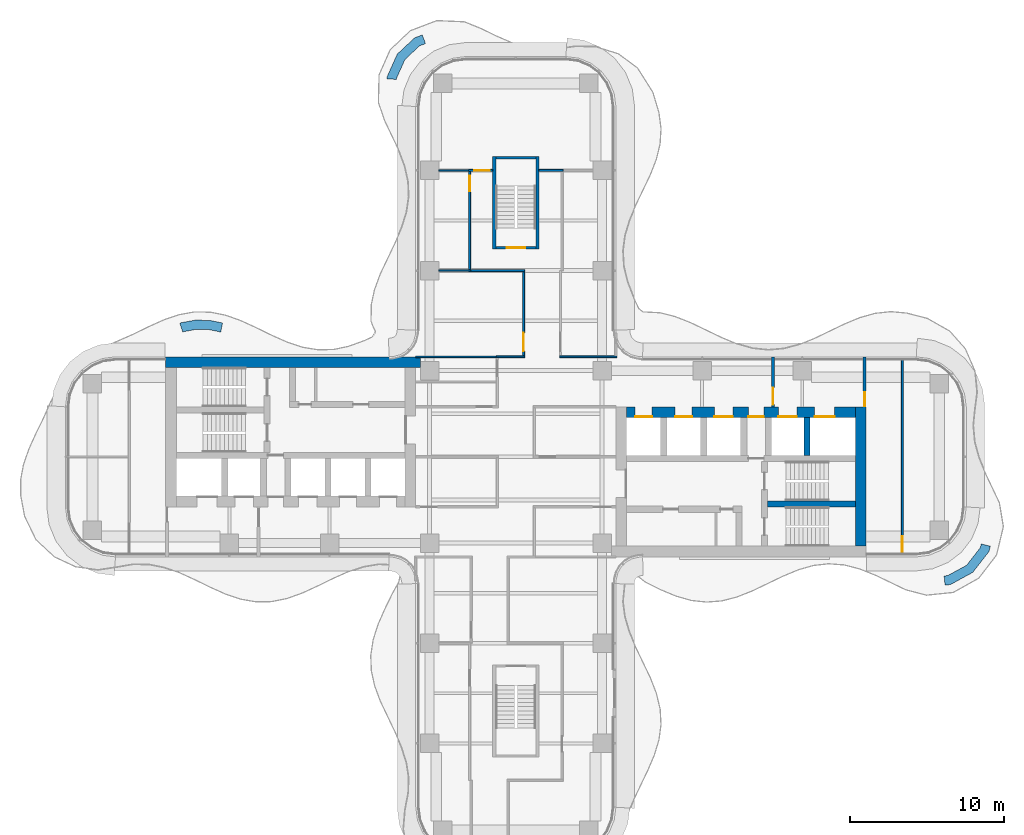
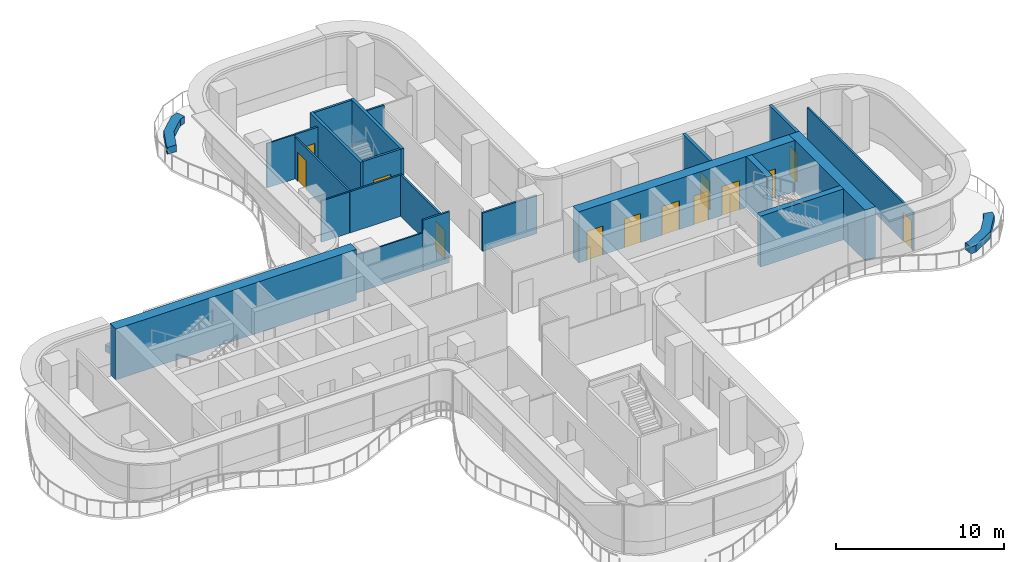
# One storey, part 14 of 17: 25 walls, 13 doors, 13 openings.
"""IFC4 building model written with IfcOpenShell, lengths in metres."""

import ifcopenshell
import ifcopenshell.guid

model = None  # the IFC model being written
_history = None  # IfcOwnerHistory: only IFC2X3 demands one
_inside = {}  # id of a spatial element -> (the spatial element, [elements in it])
_under = {}  # id of a project, library or spatial element -> (it, [spatial elements below it])
_declared = {}  # id of a project -> (the project, [libraries it declares])
_typed = {}  # id of a type object -> (the type object, [elements of that type])
_made_of = {}  # id of a material, layer set ... -> (it, [elements and type objects made of it])


def new_model(schema):
    """Start an empty IFC model of exactly this schema.

    Asked for "IFC4X3", IfcOpenShell would pick the latest addendum, in which some entities
    have other attributes; the version numbers below select the first issue.
    IFC2X3 requires an IfcOwnerHistory on every rooted entity: one is made here for all.
    """
    global model, _history
    if schema == "IFC4X3":
        model = ifcopenshell.file(schema_version=(4, 3, 0, 0))
    else:
        model = ifcopenshell.file(schema=schema)
    _inside.clear()
    _under.clear()
    _declared.clear()
    _typed.clear()
    _made_of.clear()
    _history = None
    if model.schema == "IFC2X3":
        org = make("IfcOrganization", Name="unknown")
        user = make(
            "IfcPersonAndOrganization",
            ThePerson=make("IfcPerson", FamilyName="unknown"),
            TheOrganization=org,
        )
        app = make(
            "IfcApplication",
            ApplicationDeveloper=org,
            Version="unknown",
            ApplicationFullName="unknown",
            ApplicationIdentifier="unknown",
        )
        _history = make(
            "IfcOwnerHistory",
            OwningUser=user,
            OwningApplication=app,
            ChangeAction="ADDED",
            CreationDate=0,
        )
    return model


def make(cls, **values):
    """One entity of the class cls with the attributes given. An attribute that is None is left unset."""
    return model.create_entity(
        cls, **{name: value for name, value in values.items() if value is not None}
    )


def rooted(cls, **values):
    """An entity with a GlobalId (a new one), such as an element, a storey or a relation."""
    return make(cls, GlobalId=ifcopenshell.guid.new(), OwnerHistory=_history, **values)


def si_unit(unit_type, name, prefix=None):
    """IfcSIUnit, for example si_unit("LENGTHUNIT", "METRE", prefix="MILLI")."""
    return make("IfcSIUnit", UnitType=unit_type, Prefix=prefix, Name=name)


def assignment(units):
    """IfcUnitAssignment: the units of a project."""
    return None if units is None else make("IfcUnitAssignment", Units=units)


def point(xyz):
    """IfcCartesianPoint."""
    return None if xyz is None else make("IfcCartesianPoint", Coordinates=xyz)


def direction(xyz):
    """IfcDirection."""
    return None if xyz is None else make("IfcDirection", DirectionRatios=xyz)


def frame(location, z_axis=None, x_axis=None):
    """IfcAxis2Placement3D, a coordinate frame: its origin and axes. An axis left out is left unset."""
    return make(
        "IfcAxis2Placement3D",
        Location=point(location),
        Axis=direction(z_axis),
        RefDirection=direction(x_axis),
    )


def frame_2d(location, x_axis=None):
    """IfcAxis2Placement2D, a coordinate frame in the plane: its origin and x axis."""
    return make(
        "IfcAxis2Placement2D", Location=point(location), RefDirection=direction(x_axis)
    )


def origin():
    """The frame at (0, 0, 0) with its axes left unset."""
    return frame((0.0, 0.0, 0.0))


def place(relative_to, where):
    """IfcLocalPlacement: puts the frame where relative to a parent placement (None: the world)."""
    return make(
        "IfcLocalPlacement", PlacementRelTo=relative_to, RelativePlacement=where
    )


def context(
    kind, dimensions, precision=None, world=None, true_north=None, identifier=None
):
    """IfcGeometricRepresentationContext, for example the 3D "Model" context."""
    return make(
        "IfcGeometricRepresentationContext",
        ContextIdentifier=identifier,
        ContextType=kind,
        CoordinateSpaceDimension=dimensions,
        Precision=precision,
        WorldCoordinateSystem=world,
        TrueNorth=true_north,
    )


def subcontext(parent, identifier, kind, view, scale=None):
    """IfcGeometricRepresentationSubContext, for example "Body" below "Model"."""
    return make(
        "IfcGeometricRepresentationSubContext",
        ContextIdentifier=identifier,
        ContextType=kind,
        ParentContext=parent,
        TargetScale=scale,
        TargetView=view,
    )


def project(units=None, contexts=None):
    """IfcProject with its units and contexts."""
    return rooted(
        "IfcProject",
        Name="project",
        RepresentationContexts=contexts,
        UnitsInContext=assignment(units),
    )


def spatial(cls, under=None, at=None, **own):
    """A site, building, storey or space (cls), placed at a placement, below another one or the project."""
    s = rooted(cls, ObjectPlacement=at, **own)
    if under is not None:
        _under.setdefault(under.id(), (under, []))[1].append(s)
    return s


def polyline(points):
    """IfcPolyline through the points."""
    return make("IfcPolyline", Points=[point(p) for p in points])


def profile(cls, at=None, kind="AREA", **sizes):
    """A parametric profile (cls). Its sizes go by their IFC names, for example OverallWidth=200.0."""
    return make(cls, ProfileType=kind, Position=at, **sizes)


def rectangle(**sizes):
    """IfcRectangleProfileDef."""
    return profile("IfcRectangleProfileDef", **sizes)


def outline(outer, holes=None, kind="AREA"):
    """IfcArbitraryClosedProfileDef: a profile drawn as a closed curve; with holes, ...WithVoids."""
    if holes is None:
        return make("IfcArbitraryClosedProfileDef", ProfileType=kind, OuterCurve=outer)
    return make(
        "IfcArbitraryProfileDefWithVoids",
        ProfileType=kind,
        OuterCurve=outer,
        InnerCurves=holes,
    )


def extrude(swept, where, along, depth):
    """IfcExtrudedAreaSolid: the profile swept, set in the frame where, extruded along a direction by depth."""
    return make(
        "IfcExtrudedAreaSolid",
        SweptArea=swept,
        Position=where,
        ExtrudedDirection=direction(along),
        Depth=depth,
    )


def shape(context_of_items, identifier, shape_type, items):
    """IfcShapeRepresentation: the items that make up one representation, for example the "Body"."""
    return make(
        "IfcShapeRepresentation",
        ContextOfItems=context_of_items,
        RepresentationIdentifier=identifier,
        RepresentationType=shape_type,
        Items=items,
    )


def source(mapping_origin, context_of_items, identifier, shape_type, items):
    """IfcRepresentationMap: a shape defined once, which mapped items show again and again."""
    return make(
        "IfcRepresentationMap",
        MappingOrigin=mapping_origin,
        MappedRepresentation=shape(context_of_items, identifier, shape_type, items),
    )


def transform(
    local_origin,
    x_axis=None,
    y_axis=None,
    z_axis=None,
    scale=None,
    scale2=None,
    scale3=None,
    uniform=True,
):
    """IfcCartesianTransformationOperator3D, or its non-uniform kind. x_axis, y_axis, z_axis: its Axis1, 2, 3."""
    if uniform:
        return make(
            "IfcCartesianTransformationOperator3D",
            Axis1=direction(x_axis),
            Axis2=direction(y_axis),
            LocalOrigin=point(local_origin),
            Scale=scale,
            Axis3=direction(z_axis),
        )
    return make(
        "IfcCartesianTransformationOperator3DnonUniform",
        Axis1=direction(x_axis),
        Axis2=direction(y_axis),
        LocalOrigin=point(local_origin),
        Scale=scale,
        Axis3=direction(z_axis),
        Scale2=scale2,
        Scale3=scale3,
    )


def mapped(mapping_source, mapping_target):
    """IfcMappedItem: shows the shape of a source again, moved by a transform."""
    return make(
        "IfcMappedItem", MappingSource=mapping_source, MappingTarget=mapping_target
    )


def material(Name=None, Category=None):
    """IfcMaterial."""
    return make("IfcMaterial", Name=Name, Category=Category)


def layer(
    of_material, thickness, ventilated=None, Name=None, Category=None, Priority=None
):
    """IfcMaterialLayer: one layer of a wall or slab, of a material (None: an air gap)."""
    return make(
        "IfcMaterialLayer",
        Material=of_material,
        LayerThickness=thickness,
        IsVentilated=ventilated,
        Name=Name,
        Category=Category,
        Priority=Priority,
    )


def layer_set(layers, Name=None):
    """IfcMaterialLayerSet."""
    return make("IfcMaterialLayerSet", MaterialLayers=layers, LayerSetName=Name)


def made_of(thing, what):
    """Note that an element or type object is made of a material, layer set ...; save() writes the relation."""
    if what is not None:
        _made_of.setdefault(what.id(), (what, []))[1].append(thing)
    return thing


def type_object(cls, material=None, **own):
    """A type object (cls), such as IfcWallType, which elements share."""
    return made_of(rooted(cls, **own), material)


def element(
    cls,
    number,
    at=None,
    inside=None,
    cuts=None,
    type_object=None,
    material=None,
    context=None,
    identifier="Body",
    shape_type=None,
    held_by="IfcProductDefinitionShape",
    body=None,
    shapes=None,
    **own,
):
    """One element of the class cls, such as IfcWall. Its Tag is "e" and its number.

    at: its placement. inside: the storey or other place that contains it. cuts: it is an
    opening in that element (IfcRelVoidsElement). A single representation is given by context,
    identifier, shape_type and body (its items); several are given by shapes. held_by: the class
    of the entity that holds the representations. save() writes the other relations.
    """
    e = rooted(cls, Tag="e%d" % number, ObjectPlacement=at, **own)
    if body is not None:
        shapes = [shape(context, identifier, shape_type, body)]
    if shapes is not None:
        e.Representation = make(held_by, Representations=shapes)
    if inside is not None:
        _inside.setdefault(inside.id(), (inside, []))[1].append(e)
    if cuts is not None:
        rooted(
            "IfcRelVoidsElement", RelatingBuildingElement=cuts, RelatedOpeningElement=e
        )
    if type_object is not None:
        _typed.setdefault(type_object.id(), (type_object, []))[1].append(e)
    return made_of(e, material)


def fill(opening, filler):
    """IfcRelFillsElement: the door or window that sits in an opening."""
    return rooted(
        "IfcRelFillsElement",
        RelatingOpeningElement=opening,
        RelatedBuildingElement=filler,
    )


def aggregate(whole, parts):
    """IfcRelAggregates: a whole, such as a stair, and the parts it consists of."""
    return rooted("IfcRelAggregates", RelatingObject=whole, RelatedObjects=parts)


def save(model, path):
    """Write the relations noted so far, then the file.

    IfcRelAggregates (storeys below a building ...), IfcRelContainedInSpatialStructure (elements
    in a storey), IfcRelDefinesByType, IfcRelAssociatesMaterial and IfcRelDeclares: one each for
    every whole, place, type object, material and project.
    """
    for whole, parts in _under.values():
        aggregate(whole, parts)
    for where, things in _inside.values():
        rooted(
            "IfcRelContainedInSpatialStructure",
            RelatedElements=things,
            RelatingStructure=where,
        )
    for kind, things in _typed.values():
        rooted("IfcRelDefinesByType", RelatedObjects=things, RelatingType=kind)
    for what, things in _made_of.values():
        rooted("IfcRelAssociatesMaterial", RelatedObjects=things, RelatingMaterial=what)
    for by, libraries in _declared.values():
        rooted("IfcRelDeclares", RelatingContext=by, RelatedDefinitions=libraries)
    model.write(path)


model = new_model("IFC4")

# Units and contexts
model_context = context("Model", 3, precision=1e-05, world=origin(), true_north=direction((0.0, 1.0)))
body_context = subcontext(model_context, "Body", "Model", "MODEL_VIEW")
ifc_project = project(units=[si_unit("LENGTHUNIT", "METRE"), si_unit("AREAUNIT", "SQUARE_METRE"), si_unit("VOLUMEUNIT", "CUBIC_METRE"), si_unit("PLANEANGLEUNIT", "RADIAN"), si_unit("MASSUNIT", "GRAM", prefix="KILO")], contexts=[model_context])

# Site, building, storey
site_placement = place(None, origin())
site = spatial("IfcSite", under=ifc_project, at=site_placement, CompositionType="ELEMENT")
building_placement = place(site_placement, origin())
building = spatial("IfcBuilding", under=site, at=building_placement, Name="Trellis Farm Tower", CompositionType="ELEMENT")
storey_placement = place(building_placement, frame((0.0, 0.0, 165.89990234375)))
storey = spatial("IfcBuildingStorey", under=building, at=storey_placement, Name="L35", CompositionType="ELEMENT", Elevation=165.89990234375)

# Walls
ifc_material_1 = material(Name="Sandstone faced masonry planter", Category="masonry")
ifc_layer_1 = layer(ifc_material_1, 0.60009765625)
ifc_layer_set_1 = layer_set([ifc_layer_1], Name="PLANTER BED 600")
wall_type_1 = type_object("IfcWallType", Name="PLANTER BED 600", PredefinedType="USERDEFINED", material=ifc_layer_set_1)
placement = place(storey_placement, origin())
element("IfcWall", 1, at=placement, inside=storey, type_object=wall_type_1, Name="PLANTER bed", ObjectType="PLANTER", PredefinedType="USERDEFINED", context=body_context, shape_type="SweptSolid", body=[
    extrude(outline(polyline([(30.723388671875, -6.1513671875), (29.67138671875, -7.502197265625), (28.224853515625, -8.294189453125), (27.87158203125, -8.330078125), (27.811279296875, -7.73291015625), (28.04345703125, -7.70947265625), (29.2744140625, -7.035400390625), (30.171142578125, -5.8837890625), (30.2275390625, -5.65380859375), (30.810302734375, -5.796630859375), (30.723388671875, -6.1513671875)])), origin(), (0.0, 0.0, 1.0), 0.5),
])
element("IfcWall", 2, at=placement, inside=storey, type_object=wall_type_1, Name="PLANTER bed", ObjectType="PLANTER", PredefinedType="USERDEFINED", context=body_context, shape_type="SweptSolid", body=[
    extrude(outline(polyline([(-7.69970703125, 26.15673828125), (-6.5791015625, 27.20849609375), (-6.077392578125, 27.39892578125), (-5.864501953125, 26.838134765625), (-6.255126953125, 26.689697265625), (-7.20166015625, 25.80126953125), (-7.757080078125, 24.567138671875), (-7.758544921875, 24.5166015625), (-8.3583984375, 24.535888671875), (-8.352783203125, 24.705078125), (-7.69970703125, 26.15673828125)])), origin(), (0.0, 0.0, 1.0), 0.5),
])
element("IfcWall", 3, at=placement, inside=storey, type_object=wall_type_1, Name="PLANTER bed", ObjectType="PLANTER", PredefinedType="USERDEFINED", context=body_context, shape_type="SweptSolid", body=[
    extrude(outline(polyline([(-20.82275390625, 8.87841796875), (-19.895263671875, 8.8662109375), (-19.0439453125, 8.694091796875), (-19.1630859375, 8.10595703125), (-19.959228515625, 8.26708984375), (-20.7734375, 8.277587890625), (-21.630859375, 8.115966796875), (-21.8232421875, 8.68408203125), (-21.72607421875, 8.717041015625), (-20.82275390625, 8.87841796875)])), origin(), (0.0, 0.0, 1.0), 0.5),
])
ifc_material_2 = material(Name="Concrete C70/85", Category="concrete")
ifc_layer_2 = layer(ifc_material_2, 0.699951171875)
ifc_layer_set_2 = layer_set([ifc_layer_2], Name="CORE OUTER WALL 700 CONCRETE C70/85")
wall_type_2 = type_object("IfcWallType", Name="CORE OUTER WALL 700 CONCRETE C70/85", PredefinedType="SHEAR", material=ifc_layer_set_2)
shared_shape_1 = source(origin(), body_context, "Body", "SweptSolid", [
    extrude(rectangle(XDim=9.050048828125, YDim=0.699951171875, at=frame_2d((4.52490234375, 0.0))), origin(), (0.0, 0.0, 1.0), 3.7001953125),
])
wall_4_placement = place(storey_placement, frame((22.39990234375, -5.800048828125, 0.0), z_axis=(0.0, 0.0, 1.0), x_axis=(0.0, 1.0, 0.0)))
element("IfcWall", 4, at=wall_4_placement, inside=storey, type_object=wall_type_2, Name="Core wall", PredefinedType="SHEAR", context=body_context, shape_type="MappedRepresentation", body=[
    mapped(shared_shape_1, transform((0.0, 0.0, 0.0))),
])
ifc_layer_3 = layer(ifc_material_2, 0.39990234375)
ifc_layer_set_3 = layer_set([ifc_layer_3], Name="CORE INNER WALL 400 CONCRETE C70/85")
wall_type_3 = type_object("IfcWallType", Name="CORE INNER WALL 400 CONCRETE C70/85", PredefinedType="SHEAR", material=ifc_layer_set_3)
shared_shape_2 = source(origin(), body_context, "Body", "SweptSolid", [
    extrude(rectangle(XDim=2.449951171875, YDim=0.39990234375, at=frame_2d((1.22509765625, 0.0))), origin(), (0.0, 0.0, 1.0), 3.7001953125),
])
wall_5_placement = place(storey_placement, frame((18.89990234375, 0.10009765625, 0.0), z_axis=(0.0, 0.0, 1.0), x_axis=(0.0, 1.0, 0.0)))
element("IfcWall", 5, at=wall_5_placement, inside=storey, type_object=wall_type_3, Name="Core wall", PredefinedType="SHEAR", context=body_context, shape_type="MappedRepresentation", body=[
    mapped(shared_shape_2, transform((0.0, 0.0, 0.0))),
])

# Wall, opening, door
ifc_material_3 = material(Name="Masonry blockwork", Category="masonry")
ifc_layer_4 = layer(ifc_material_3, 0.199951171875)
ifc_layer_set_4 = layer_set([ifc_layer_4], Name="FIRE LOBBY PARTITION 200 BLOCKWORK")
wall_type_4 = type_object("IfcWallType", Name="FIRE LOBBY PARTITION 200 BLOCKWORK", PredefinedType="PARTITIONING", material=ifc_layer_set_4)
shared_shape_3 = source(origin(), body_context, "Body", "SweptSolid", [
    extrude(rectangle(XDim=3.25, YDim=0.199951171875, at=frame_2d((1.625, 0.0))), origin(), (0.0, 0.0, 1.0), 3.7001953125),
])
wall_6_placement = place(storey_placement, frame((16.699951171875, 3.25, 0.0), z_axis=(0.0, 0.0, 1.0), x_axis=(0.0, 1.0, 0.0)))
wall_6 = element("IfcWall", 6, at=wall_6_placement, inside=storey, type_object=wall_type_4, Name="Fire-fighting lobby partition", PredefinedType="PARTITIONING", context=body_context, shape_type="MappedRepresentation", body=[
    mapped(shared_shape_3, transform((0.0, 0.0, 0.0))),
])
shared_shape_4 = source(origin(), body_context, "Body", "SweptSolid", [
    extrude(rectangle(XDim=1.10009765625, YDim=2.10009765625, at=frame_2d((0.550048828125, 1.050048828125))), frame((0.0, 0.110107421875, 0.0), z_axis=(0.0, -1.0, 0.0), x_axis=(1.0, 0.0, 0.0)), (0.0, 0.0, 1.0), 0.22021484375),
])
opening_1_placement = place(wall_6_placement, frame((0.14990234375, 0.0, 0.0)))
opening_1 = element("IfcOpeningElement", 7, at=opening_1_placement, cuts=wall_6, Name="Opening DC7", PredefinedType="OPENING", context=body_context, shape_type="MappedRepresentation", body=[
    mapped(shared_shape_4, transform((0.0, 0.0, 0.0))),
])
ifc_material_4 = material(Name="Steel", Category="steel")
door_type_1 = type_object("IfcDoorType", Name="CORE FIRE DOOR 1100 X 2100", OperationType="NOTDEFINED", PredefinedType="DOOR", material=ifc_material_4)
shared_shape_5 = source(origin(), body_context, "Body", "SweptSolid", [
    extrude(rectangle(XDim=1.10009765625, YDim=2.10009765625, at=frame_2d((0.550048828125, 1.050048828125))), frame((0.0, 0.02490234375, 0.0), z_axis=(0.0, -1.0, 0.0), x_axis=(1.0, 0.0, 0.0)), (0.0, 0.0, 1.0), 0.050048828125),
])
door_1_placement = place(opening_1_placement, origin())
door_1 = element("IfcDoor", 8, at=door_1_placement, inside=storey, type_object=door_type_1, Name="Core door", OperationType="SINGLE_SWING_RIGHT", OverallHeight=2.10009765625, OverallWidth=1.10009765625, PredefinedType="DOOR", context=body_context, shape_type="MappedRepresentation", body=[
    mapped(shared_shape_5, transform((0.0, 0.0, 0.0))),
])
fill(opening_1, door_1)

wall_7_placement = place(storey_placement, frame((22.64990234375, 3.25, 0.0), z_axis=(0.0, 0.0, 1.0), x_axis=(0.0, 1.0, 0.0)))
wall_7 = element("IfcWall", 9, at=wall_7_placement, inside=storey, type_object=wall_type_4, Name="Fire-fighting lobby partition", PredefinedType="PARTITIONING", context=body_context, shape_type="MappedRepresentation", body=[
    mapped(shared_shape_3, transform((0.0, 0.0, 0.0))),
])
shared_shape_6 = source(origin(), body_context, "Body", "SweptSolid", [
    extrude(rectangle(XDim=0.89990234375, YDim=2.10009765625, at=frame_2d((0.449951171875, 1.050048828125))), frame((0.0, 0.110107421875, 0.0), z_axis=(0.0, -1.0, 0.0), x_axis=(1.0, 0.0, 0.0)), (0.0, 0.0, 1.0), 0.22021484375),
])
opening_2_placement = place(wall_7_placement, frame((0.050048828125, 0.0, 0.0)))
opening_2 = element("IfcOpeningElement", 10, at=opening_2_placement, cuts=wall_7, Name="Opening DC8", PredefinedType="OPENING", context=body_context, shape_type="MappedRepresentation", body=[
    mapped(shared_shape_6, transform((0.0, 0.0, 0.0))),
])
door_type_2 = type_object("IfcDoorType", Name="CORE FIRE DOOR 900 X 2100", OperationType="NOTDEFINED", PredefinedType="DOOR", material=ifc_material_4)
shared_shape_7 = source(origin(), body_context, "Body", "SweptSolid", [
    extrude(rectangle(XDim=0.89990234375, YDim=2.10009765625, at=frame_2d((0.449951171875, 1.050048828125))), frame((0.0, 0.02490234375, 0.0), z_axis=(0.0, -1.0, 0.0), x_axis=(1.0, 0.0, 0.0)), (0.0, 0.0, 1.0), 0.050048828125),
])
door_2_placement = place(opening_2_placement, origin())
door_2 = element("IfcDoor", 11, at=door_2_placement, inside=storey, type_object=door_type_2, Name="Core door", OperationType="SINGLE_SWING_RIGHT", OverallHeight=2.10009765625, OverallWidth=0.89990234375, PredefinedType="DOOR", context=body_context, shape_type="MappedRepresentation", body=[
    mapped(shared_shape_7, transform((0.0, 0.0, 0.0))),
])
fill(opening_2, door_2)

# Wall
shared_shape_8 = source(origin(), body_context, "Body", "SweptSolid", [
    extrude(rectangle(XDim=16.550048828125, YDim=0.699951171875, at=frame_2d((8.27490234375, 0.0))), origin(), (0.0, 0.0, 1.0), 3.7001953125),
])
wall_8_placement = place(storey_placement, frame((-6.199951171875, 6.14990234375, 0.0), z_axis=(0.0, 0.0, 1.0), x_axis=(-1.0, 0.0, 0.0)))
element("IfcWall", 12, at=wall_8_placement, inside=storey, type_object=wall_type_2, Name="Core wall", PredefinedType="SHEAR", context=body_context, shape_type="MappedRepresentation", body=[
    mapped(shared_shape_8, transform((0.0, 0.0, 0.0))),
])

# Wall, openings, doors
shared_shape_9 = source(origin(), body_context, "Body", "SweptSolid", [
    extrude(rectangle(XDim=14.85009765625, YDim=0.699951171875, at=frame_2d((7.425048828125, 0.0))), origin(), (0.0, 0.0, 1.0), 3.7001953125),
])
wall_9_placement = place(storey_placement, frame((7.199951171875, 2.89990234375, 0.0), z_axis=(0.0, 0.0, 1.0), x_axis=(1.0, 0.0, 0.0)))
wall_9 = element("IfcWall", 13, at=wall_9_placement, inside=storey, type_object=wall_type_2, Name="Core wall", PredefinedType="SHEAR", context=body_context, shape_type="MappedRepresentation", body=[
    mapped(shared_shape_9, transform((0.0, 0.0, 0.0))),
])
shared_shape_10 = source(origin(), body_context, "Body", "SweptSolid", [
    extrude(rectangle(XDim=1.10009765625, YDim=2.10009765625, at=frame_2d((0.550048828125, 1.050048828125))), frame((0.0, 0.360107421875, 0.0), z_axis=(0.0, -1.0, 0.0), x_axis=(1.0, 0.0, 0.0)), (0.0, 0.0, 1.0), 0.72021484375),
])
opening_3_placement = place(wall_9_placement, frame((0.550048828125, 0.0, 0.0)))
opening_3 = element("IfcOpeningElement", 14, at=opening_3_placement, cuts=wall_9, Name="Opening LD4", PredefinedType="OPENING", context=body_context, shape_type="MappedRepresentation", body=[
    mapped(shared_shape_10, transform((0.0, 0.0, 0.0))),
])
opening_4_placement = place(wall_9_placement, frame((3.14990234375, 0.0, 0.0)))
opening_4 = element("IfcOpeningElement", 15, at=opening_4_placement, cuts=wall_9, Name="Opening LD5", PredefinedType="OPENING", context=body_context, shape_type="MappedRepresentation", body=[
    mapped(shared_shape_10, transform((0.0, 0.0, 0.0))),
])
shared_shape_11 = source(origin(), body_context, "Body", "SweptSolid", [
    extrude(rectangle(XDim=1.199951171875, YDim=2.10009765625, at=frame_2d((0.60009765625, 1.050048828125))), frame((0.0, 0.360107421875, 0.0), z_axis=(0.0, -1.0, 0.0), x_axis=(1.0, 0.0, 0.0)), (0.0, 0.0, 1.0), 0.72021484375),
])
opening_5_placement = place(wall_9_placement, frame((5.699951171875, 0.0, 0.0)))
opening_5 = element("IfcOpeningElement", 16, at=opening_5_placement, cuts=wall_9, Name="Opening LD6", PredefinedType="OPENING", context=body_context, shape_type="MappedRepresentation", body=[
    mapped(shared_shape_11, transform((0.0, 0.0, 0.0))),
])
shared_shape_12 = source(origin(), body_context, "Body", "SweptSolid", [
    extrude(rectangle(XDim=1.300048828125, YDim=2.10009765625, at=frame_2d((0.64990234375, 1.050048828125))), frame((0.0, 0.360107421875, 0.0), z_axis=(0.0, -1.0, 0.0), x_axis=(1.0, 0.0, 0.0)), (0.0, 0.0, 1.0), 0.72021484375),
])
opening_6_placement = place(wall_9_placement, frame((12.199951171875, 0.0, 0.0)))
opening_6 = element("IfcOpeningElement", 17, at=opening_6_placement, cuts=wall_9, Name="Opening LD7", PredefinedType="OPENING", context=body_context, shape_type="MappedRepresentation", body=[
    mapped(shared_shape_12, transform((0.0, 0.0, 0.0))),
])
opening_7_placement = place(wall_9_placement, frame((9.85009765625, 0.0, 0.0)))
opening_7 = element("IfcOpeningElement", 18, at=opening_7_placement, cuts=wall_9, Name="Opening LD8", PredefinedType="OPENING", context=body_context, shape_type="MappedRepresentation", body=[
    mapped(shared_shape_11, transform((0.0, 0.0, 0.0))),
])
shared_shape_13 = source(origin(), body_context, "Body", "SweptSolid", [
    extrude(rectangle(XDim=1.0, YDim=2.10009765625, at=frame_2d((0.5, 1.050048828125))), frame((0.0, 0.360107421875, 0.0), z_axis=(0.0, -1.0, 0.0), x_axis=(1.0, 0.0, 0.0)), (0.0, 0.0, 1.0), 0.72021484375),
])
opening_8_placement = place(wall_9_placement, frame((7.89990234375, 0.0, 0.0)))
opening_8 = element("IfcOpeningElement", 19, at=opening_8_placement, cuts=wall_9, Name="Opening DC6", PredefinedType="OPENING", context=body_context, shape_type="MappedRepresentation", body=[
    mapped(shared_shape_13, transform((0.0, 0.0, 0.0))),
])
door_type_3 = type_object("IfcDoorType", Name="CORE FIRE DOOR 1000 X 2100", OperationType="NOTDEFINED", PredefinedType="DOOR", material=ifc_material_4)
shared_shape_14 = source(origin(), body_context, "Body", "SweptSolid", [
    extrude(rectangle(XDim=1.0, YDim=2.10009765625, at=frame_2d((0.5, 1.050048828125))), frame((0.0, -0.27490234375, 0.0), z_axis=(0.0, -1.0, 0.0), x_axis=(1.0, 0.0, 0.0)), (0.0, 0.0, 1.0), 0.050048828125),
])
door_3_placement = place(opening_8_placement, origin())
door_3 = element("IfcDoor", 20, at=door_3_placement, inside=storey, type_object=door_type_3, Name="Core door", OperationType="SINGLE_SWING_LEFT", OverallHeight=2.10009765625, OverallWidth=1.0, PredefinedType="DOOR", context=body_context, shape_type="MappedRepresentation", body=[
    mapped(shared_shape_14, transform((0.0, 0.0, 0.0))),
])
fill(opening_8, door_3)
ifc_material_5 = material(Name="Stainless steel", Category="steel")
door_type_4 = type_object("IfcDoorType", Name="LIFT LANDING DOOR 1300 X 2100", OperationType="DOUBLE_DOOR_SLIDING", PredefinedType="DOOR", material=ifc_material_5)
shared_shape_15 = source(origin(), body_context, "Body", "SweptSolid", [
    extrude(rectangle(XDim=1.300048828125, YDim=2.10009765625, at=frame_2d((0.64990234375, 1.050048828125))), frame((0.0, -0.27490234375, 0.0), z_axis=(0.0, -1.0, 0.0), x_axis=(1.0, 0.0, 0.0)), (0.0, 0.0, 1.0), 0.050048828125),
])
door_4_placement = place(opening_6_placement, origin())
door_4 = element("IfcDoor", 21, at=door_4_placement, inside=storey, type_object=door_type_4, Name="Lift landing door", OperationType="DOUBLE_DOOR_SLIDING", OverallHeight=2.10009765625, OverallWidth=1.300048828125, PredefinedType="DOOR", context=body_context, shape_type="MappedRepresentation", body=[
    mapped(shared_shape_15, transform((0.0, 0.0, 0.0))),
])
fill(opening_6, door_4)
door_type_5 = type_object("IfcDoorType", Name="LIFT LANDING DOOR 1200 X 2100", OperationType="DOUBLE_DOOR_SLIDING", PredefinedType="DOOR", material=ifc_material_5)
shared_shape_16 = source(origin(), body_context, "Body", "SweptSolid", [
    extrude(rectangle(XDim=1.199951171875, YDim=2.10009765625, at=frame_2d((0.60009765625, 1.050048828125))), frame((0.0, -0.27490234375, 0.0), z_axis=(0.0, -1.0, 0.0), x_axis=(1.0, 0.0, 0.0)), (0.0, 0.0, 1.0), 0.050048828125),
])
door_5_placement = place(opening_5_placement, origin())
door_5 = element("IfcDoor", 22, at=door_5_placement, inside=storey, type_object=door_type_5, Name="Lift landing door", OperationType="DOUBLE_DOOR_SLIDING", OverallHeight=2.10009765625, OverallWidth=1.199951171875, PredefinedType="DOOR", context=body_context, shape_type="MappedRepresentation", body=[
    mapped(shared_shape_16, transform((0.0, 0.0, 0.0))),
])
fill(opening_5, door_5)
door_6_placement = place(opening_7_placement, origin())
door_6 = element("IfcDoor", 23, at=door_6_placement, inside=storey, type_object=door_type_5, Name="Lift landing door", OperationType="DOUBLE_DOOR_SLIDING", OverallHeight=2.10009765625, OverallWidth=1.199951171875, PredefinedType="DOOR", context=body_context, shape_type="MappedRepresentation", body=[
    mapped(shared_shape_16, transform((0.0, 0.0, 0.0))),
])
fill(opening_7, door_6)
door_type_6 = type_object("IfcDoorType", Name="LIFT LANDING DOOR 1100 X 2100", OperationType="DOUBLE_DOOR_SLIDING", PredefinedType="DOOR", material=ifc_material_5)
shared_shape_17 = source(origin(), body_context, "Body", "SweptSolid", [
    extrude(rectangle(XDim=1.10009765625, YDim=2.10009765625, at=frame_2d((0.550048828125, 1.050048828125))), frame((0.0, -0.27490234375, 0.0), z_axis=(0.0, -1.0, 0.0), x_axis=(1.0, 0.0, 0.0)), (0.0, 0.0, 1.0), 0.050048828125),
])
door_7_placement = place(opening_3_placement, origin())
door_7 = element("IfcDoor", 24, at=door_7_placement, inside=storey, type_object=door_type_6, Name="Lift landing door", OperationType="DOUBLE_DOOR_SLIDING", OverallHeight=2.10009765625, OverallWidth=1.10009765625, PredefinedType="DOOR", context=body_context, shape_type="MappedRepresentation", body=[
    mapped(shared_shape_17, transform((0.0, 0.0, 0.0))),
])
fill(opening_3, door_7)
door_8_placement = place(opening_4_placement, origin())
door_8 = element("IfcDoor", 25, at=door_8_placement, inside=storey, type_object=door_type_6, Name="Lift landing door", OperationType="DOUBLE_DOOR_SLIDING", OverallHeight=2.10009765625, OverallWidth=1.10009765625, PredefinedType="DOOR", context=body_context, shape_type="MappedRepresentation", body=[
    mapped(shared_shape_17, transform((0.0, 0.0, 0.0))),
])
fill(opening_4, door_8)

# Walls
shared_shape_18 = source(origin(), body_context, "Body", "SweptSolid", [
    extrude(rectangle(XDim=5.699951171875, YDim=0.39990234375, at=frame_2d((2.85009765625, 0.0))), origin(), (0.0, 0.0, 1.0), 3.7001953125),
])
wall_10_placement = place(storey_placement, frame((16.35009765625, -3.050048828125, 0.0), z_axis=(0.0, 0.0, 1.0), x_axis=(1.0, 0.0, 0.0)))
element("IfcWall", 26, at=wall_10_placement, inside=storey, type_object=wall_type_3, Name="Core wall", PredefinedType="SHEAR", context=body_context, shape_type="MappedRepresentation", body=[
    mapped(shared_shape_18, transform((0.0, 0.0, 0.0))),
])
ifc_layer_5 = layer(ifc_material_2, 0.199951171875)
ifc_layer_set_5 = layer_set([ifc_layer_5], Name="CORE STAIR ENCLOSURE WALL 200 CONCRETE C70/85")
wall_type_5 = type_object("IfcWallType", Name="CORE STAIR ENCLOSURE WALL 200 CONCRETE C70/85", PredefinedType="SHEAR", material=ifc_layer_set_5)
shared_shape_19 = source(origin(), body_context, "Body", "SweptSolid", [
    extrude(rectangle(XDim=6.0, YDim=0.199951171875, at=frame_2d((3.0, 0.0))), origin(), (0.0, 0.0, 1.0), 3.7001953125),
])
for number, where, z_axis, x_axis, name in (
    (27, (-1.39990234375, 13.5, 0.0), (0.0, 0.0, 1.0), (0.0, 1.0, 0.0), "Stair enclosure wall"),
    (28, (1.39990234375, 13.5, 0.0), (0.0, 0.0, 1.0), (0.0, 1.0, 0.0), "Stair enclosure wall"),
):
    element("IfcWall", number, at=place(storey_placement, frame(where, z_axis=z_axis, x_axis=x_axis)), inside=storey, type_object=wall_type_5, Name=name, PredefinedType="SHEAR", context=body_context, shape_type="MappedRepresentation", body=[
        mapped(shared_shape_19, transform((0.0, 0.0, 0.0))),
    ])

# Wall, opening, door
ifc_layer_6 = layer(ifc_material_2, 0.14990234375)
ifc_layer_set_6 = layer_set([ifc_layer_6], Name="CORE STAIR ENCLOSURE WALL 150 CONCRETE C70/85")
wall_type_6 = type_object("IfcWallType", Name="CORE STAIR ENCLOSURE WALL 150 CONCRETE C70/85", PredefinedType="SHEAR", material=ifc_layer_set_6)
shared_shape_20 = source(origin(), body_context, "Body", "SweptSolid", [
    extrude(rectangle(XDim=2.60009765625, YDim=0.14990234375, at=frame_2d((1.300048828125, 0.0))), origin(), (0.0, 0.0, 1.0), 3.7001953125),
])
wall_11_placement = place(storey_placement, frame((-1.300048828125, 13.574951171875, 0.0), z_axis=(0.0, 0.0, 1.0), x_axis=(1.0, 0.0, 0.0)))
wall_11 = element("IfcWall", 29, at=wall_11_placement, inside=storey, type_object=wall_type_6, Name="Stair enclosure wall", PredefinedType="SHEAR", context=body_context, shape_type="MappedRepresentation", body=[
    mapped(shared_shape_20, transform((0.0, 0.0, 0.0))),
])
shared_shape_21 = source(origin(), body_context, "Body", "SweptSolid", [
    extrude(rectangle(XDim=1.199951171875, YDim=2.10009765625, at=frame_2d((0.60009765625, 1.050048828125))), frame((0.0, 0.0849609375, 0.0), z_axis=(0.0, -1.0, 0.0), x_axis=(1.0, 0.0, 0.0)), (0.0, 0.0, 1.0), 0.169921875),
])
opening_9_placement = place(wall_11_placement, frame((0.699951171875, 0.0, 0.0)))
opening_9 = element("IfcOpeningElement", 30, at=opening_9_placement, cuts=wall_11, Name="Opening DC173", PredefinedType="OPENING", context=body_context, shape_type="MappedRepresentation", body=[
    mapped(shared_shape_21, transform((0.0, 0.0, 0.0))),
])
door_type_7 = type_object("IfcDoorType", Name="CORE FIRE DOOR 1200 X 2100", OperationType="NOTDEFINED", PredefinedType="DOOR", material=ifc_material_4)
shared_shape_22 = source(origin(), body_context, "Body", "SweptSolid", [
    extrude(rectangle(XDim=1.199951171875, YDim=2.10009765625, at=frame_2d((0.60009765625, 1.050048828125))), frame((0.0, 0.02490234375, 0.0), z_axis=(0.0, -1.0, 0.0), x_axis=(1.0, 0.0, 0.0)), (0.0, 0.0, 1.0), 0.050048828125),
])
door_9_placement = place(opening_9_placement, origin())
door_9 = element("IfcDoor", 31, at=door_9_placement, inside=storey, type_object=door_type_7, Name="Core door", OperationType="SINGLE_SWING_LEFT", OverallHeight=2.10009765625, OverallWidth=1.199951171875, PredefinedType="DOOR", context=body_context, shape_type="MappedRepresentation", body=[
    mapped(shared_shape_22, transform((0.0, 0.0, 0.0))),
])
fill(opening_9, door_9)

# Wall
wall_12_placement = place(storey_placement, frame((-1.300048828125, 19.425048828125, 0.0), z_axis=(0.0, 0.0, 1.0), x_axis=(1.0, 0.0, 0.0)))
element("IfcWall", 32, at=wall_12_placement, inside=storey, type_object=wall_type_6, Name="Stair enclosure wall", PredefinedType="SHEAR", context=body_context, shape_type="MappedRepresentation", body=[
    mapped(shared_shape_20, transform((0.0, 0.0, 0.0))),
])

# Wall, opening, door
ifc_material_6 = material(Name="Plasterboard on steel studs, mineral wool", Category="steel")
ifc_layer_7 = layer(ifc_material_6, 0.125)
ifc_layer_set_7 = layer_set([ifc_layer_7], Name="PARTITION 125 STUD EI 60")
wall_type_7 = type_object("IfcWallType", Name="PARTITION 125 STUD EI 60", PredefinedType="PARTITIONING", material=ifc_layer_set_7)
shared_shape_23 = source(origin(), body_context, "Body", "SweptSolid", [
    extrude(rectangle(XDim=5.47509765625, YDim=0.125, at=frame_2d((2.737548828125, 0.0))), origin(), (0.0, 0.0, 1.0), 2.99658203125),
])
wall_13_placement = place(storey_placement, frame((0.5, 12.03759765625, 0.0), z_axis=(0.0, 0.0, 1.0), x_axis=(0.0, -1.0, 0.0)))
wall_13 = element("IfcWall", 33, at=wall_13_placement, inside=storey, type_object=wall_type_7, Name="Partition PW1", PredefinedType="PARTITIONING", context=body_context, shape_type="MappedRepresentation", body=[
    mapped(shared_shape_23, transform((0.0, 0.0, 0.0))),
])
shared_shape_24 = source(origin(), body_context, "Body", "SweptSolid", [
    extrude(rectangle(XDim=1.199951171875, YDim=2.10009765625, at=frame_2d((0.60009765625, 1.050048828125))), frame((0.0, 0.072509765625, 0.0), z_axis=(0.0, -1.0, 0.0), x_axis=(1.0, 0.0, 0.0)), (0.0, 0.0, 1.0), 0.14501953125),
])
opening_10_placement = place(wall_13_placement, frame((3.987548828125, 0.0, 0.0)))
opening_10 = element("IfcOpeningElement", 34, at=opening_10_placement, cuts=wall_13, Name="Opening D601", PredefinedType="OPENING", context=body_context, shape_type="MappedRepresentation", body=[
    mapped(shared_shape_24, transform((0.0, 0.0, 0.0))),
])
ifc_material_7 = material(Name="Fire-rated timber door leaf in a hollow metal frame", Category="wood")
door_type_8 = type_object("IfcDoorType", Name="DOOR 1200x2100 FD30S", OperationType="NOTDEFINED", PredefinedType="DOOR", material=ifc_material_7)
door_10_placement = place(opening_10_placement, origin())
door_10 = element("IfcDoor", 35, at=door_10_placement, inside=storey, type_object=door_type_8, Name="Door D601", OperationType="SINGLE_SWING_RIGHT", OverallHeight=2.10009765625, OverallWidth=1.199951171875, PredefinedType="DOOR", context=body_context, shape_type="MappedRepresentation", body=[
    mapped(shared_shape_22, transform((0.0, 0.0, 0.0))),
])
fill(opening_10, door_10)

shared_shape_25 = source(origin(), body_context, "Body", "SweptSolid", [
    extrude(rectangle(XDim=12.60009765625, YDim=0.125, at=frame_2d((6.300048828125, 0.0))), origin(), (0.0, 0.0, 1.0), 2.780029296875),
])
wall_14_placement = place(storey_placement, frame((25.10009765625, 6.300048828125, 0.0), z_axis=(0.0, 0.0, 1.0), x_axis=(0.0, -1.0, 0.0)))
wall_14 = element("IfcWall", 36, at=wall_14_placement, inside=storey, type_object=wall_type_7, Name="Partition PW1", PredefinedType="PARTITIONING", context=body_context, shape_type="MappedRepresentation", body=[
    mapped(shared_shape_25, transform((0.0, 0.0, 0.0))),
])
shared_shape_26 = source(origin(), body_context, "Body", "SweptSolid", [
    extrude(rectangle(XDim=1.0, YDim=2.10009765625, at=frame_2d((0.5, 1.050048828125))), frame((0.0, 0.072509765625, 0.0), z_axis=(0.0, -1.0, 0.0), x_axis=(1.0, 0.0, 0.0)), (0.0, 0.0, 1.0), 0.14501953125),
])
opening_11_placement = place(wall_14_placement, frame((11.449951171875, 0.0, 0.0)))
opening_11 = element("IfcOpeningElement", 37, at=opening_11_placement, cuts=wall_14, Name="Opening D104", PredefinedType="OPENING", context=body_context, shape_type="MappedRepresentation", body=[
    mapped(shared_shape_26, transform((0.0, 0.0, 0.0))),
])
door_type_9 = type_object("IfcDoorType", Name="DOOR 1000x2100 FD30S", OperationType="NOTDEFINED", PredefinedType="DOOR", material=ifc_material_7)
shared_shape_27 = source(origin(), body_context, "Body", "SweptSolid", [
    extrude(rectangle(XDim=1.0, YDim=2.10009765625, at=frame_2d((0.5, 1.050048828125))), frame((0.0, 0.02490234375, 0.0), z_axis=(0.0, -1.0, 0.0), x_axis=(1.0, 0.0, 0.0)), (0.0, 0.0, 1.0), 0.050048828125),
])
door_11_placement = place(opening_11_placement, origin())
door_11 = element("IfcDoor", 38, at=door_11_placement, inside=storey, type_object=door_type_9, Name="Door D104", OperationType="SINGLE_SWING_RIGHT", OverallHeight=2.10009765625, OverallWidth=1.0, PredefinedType="DOOR", context=body_context, shape_type="MappedRepresentation", body=[
    mapped(shared_shape_27, transform((0.0, 0.0, 0.0))),
])
fill(opening_11, door_11)

# Walls
ifc_material_8 = material(Name="Plasterboard on steel studs", Category="steel")
ifc_layer_8 = layer(ifc_material_8, 0.10009765625)
ifc_layer_set_8 = layer_set([ifc_layer_8], Name="PARTITION 100 STUD EI 30")
wall_type_8 = type_object("IfcWallType", Name="PARTITION 100 STUD EI 30", PredefinedType="PARTITIONING", material=ifc_layer_set_8)
shared_shape_28 = source(origin(), body_context, "Body", "SweptSolid", [
    extrude(rectangle(XDim=5.362548828125, YDim=0.10009765625, at=frame_2d((2.68115234375, 0.0))), origin(), (0.0, 0.0, 1.0), 2.780029296875),
])
wall_15_placement = place(storey_placement, frame((-6.5, 6.5, 0.0), z_axis=(0.0, 0.0, 1.0), x_axis=(1.0, 0.0, 0.0)))
element("IfcWall", 39, at=wall_15_placement, inside=storey, type_object=wall_type_8, Name="Partition PW2", PredefinedType="PARTITIONING", context=body_context, shape_type="MappedRepresentation", body=[
    mapped(shared_shape_28, transform((0.0, 0.0, 0.0))),
])
shared_shape_29 = source(origin(), body_context, "Body", "SweptSolid", [
    extrude(rectangle(XDim=3.72509765625, YDim=0.125, at=frame_2d((1.862548828125, 0.0))), origin(), (0.0, 0.0, 1.0), 2.780029296875),
])
wall_16_placement = place(storey_placement, frame((2.83740234375, 6.5, 0.0), z_axis=(0.0, 0.0, 1.0), x_axis=(1.0, 0.0, 0.0)))
element("IfcWall", 40, at=wall_16_placement, inside=storey, type_object=wall_type_7, Name="Partition PW1", PredefinedType="PARTITIONING", context=body_context, shape_type="MappedRepresentation", body=[
    mapped(shared_shape_29, transform((0.0, 0.0, 0.0))),
])
shared_shape_30 = source(origin(), body_context, "Body", "SweptSolid", [
    extrude(rectangle(XDim=2.0625, YDim=0.10009765625, at=frame_2d((1.03125, 0.0))), origin(), (0.0, 0.0, 1.0), 2.99658203125),
])
wall_17_placement = place(storey_placement, frame((-5.0, 12.10009765625, 0.0), z_axis=(0.0, 0.0, 1.0), x_axis=(1.0, 0.0, 0.0)))
element("IfcWall", 41, at=wall_17_placement, inside=storey, type_object=wall_type_8, Name="Partition PW2", PredefinedType="PARTITIONING", context=body_context, shape_type="MappedRepresentation", body=[
    mapped(shared_shape_30, transform((0.0, 0.0, 0.0))),
])
shared_shape_31 = source(origin(), body_context, "Body", "SweptSolid", [
    extrude(rectangle(XDim=3.625, YDim=0.125, at=frame_2d((1.8125, 0.0))), origin(), (0.0, 0.0, 1.0), 2.99658203125),
])
wall_18_placement = place(storey_placement, frame((0.5625, 12.10009765625, 0.0), z_axis=(0.0, 0.0, 1.0), x_axis=(-1.0, 0.0, 0.0)))
element("IfcWall", 42, at=wall_18_placement, inside=storey, type_object=wall_type_7, Name="Partition PW1", PredefinedType="PARTITIONING", context=body_context, shape_type="MappedRepresentation", body=[
    mapped(shared_shape_31, transform((0.0, 0.0, 0.0))),
])

# Wall, opening, door
shared_shape_32 = source(origin(), body_context, "Body", "SweptSolid", [
    extrude(rectangle(XDim=6.400146484375, YDim=0.125, at=frame_2d((3.2001953125, 0.0))), origin(), (0.0, 0.0, 1.0), 2.99658203125),
])
wall_19_placement = place(storey_placement, frame((-3.0, 12.14990234375, 0.0), z_axis=(0.0, 0.0, 1.0), x_axis=(0.0, 1.0, 0.0)))
wall_19 = element("IfcWall", 43, at=wall_19_placement, inside=storey, type_object=wall_type_7, Name="Partition PW1", PredefinedType="PARTITIONING", context=body_context, shape_type="MappedRepresentation", body=[
    mapped(shared_shape_32, transform((0.0, 0.0, 0.0))),
])
opening_12_placement = place(wall_19_placement, frame((5.10009765625, 0.0, 0.0)))
opening_12 = element("IfcOpeningElement", 44, at=opening_12_placement, cuts=wall_19, Name="Opening D109", PredefinedType="OPENING", context=body_context, shape_type="MappedRepresentation", body=[
    mapped(shared_shape_26, transform((0.0, 0.0, 0.0))),
])
door_12_placement = place(opening_12_placement, origin())
door_12 = element("IfcDoor", 45, at=door_12_placement, inside=storey, type_object=door_type_9, Name="Door D109", OperationType="SINGLE_SWING_RIGHT", OverallHeight=2.10009765625, OverallWidth=1.0, PredefinedType="DOOR", context=body_context, shape_type="MappedRepresentation", body=[
    mapped(shared_shape_27, transform((0.0, 0.0, 0.0))),
])
fill(opening_12, door_12)

# Walls
shared_shape_33 = source(origin(), body_context, "Body", "SweptSolid", [
    extrude(rectangle(XDim=1.824951171875, YDim=0.125, at=frame_2d((0.91259765625, 0.0))), origin(), (0.0, 0.0, 1.0), 3.7001953125),
])
wall_20_placement = place(storey_placement, frame((-1.262451171875, 6.5, 0.0), z_axis=(0.0, 0.0, 1.0), x_axis=(1.0, 0.0, 0.0)))
element("IfcWall", 46, at=wall_20_placement, inside=storey, type_object=wall_type_7, Name="Partition PW1", PredefinedType="PARTITIONING", context=body_context, shape_type="MappedRepresentation", body=[
    mapped(shared_shape_33, transform((0.0, 0.0, 0.0))),
])
shared_shape_34 = source(origin(), body_context, "Body", "SweptSolid", [
    extrude(rectangle(XDim=2.0625, YDim=0.10009765625, at=frame_2d((1.03125, 0.0))), origin(), (0.0, 0.0, 1.0), 3.22314453125),
])
wall_21_placement = place(storey_placement, frame((-5.0, 18.60009765625, 0.0), z_axis=(0.0, 0.0, 1.0), x_axis=(1.0, 0.0, 0.0)))
element("IfcWall", 47, at=wall_21_placement, inside=storey, type_object=wall_type_8, Name="Partition PW2", PredefinedType="PARTITIONING", context=body_context, shape_type="MappedRepresentation", body=[
    mapped(shared_shape_34, transform((0.0, 0.0, 0.0))),
])

# Wall, opening, door
shared_shape_35 = source(origin(), body_context, "Body", "SweptSolid", [
    extrude(rectangle(XDim=1.5625, YDim=0.125, at=frame_2d((0.78125, 0.0))), origin(), (0.0, 0.0, 1.0), 3.22314453125),
])
wall_22_placement = place(storey_placement, frame((-3.0625, 18.60009765625, 0.0), z_axis=(0.0, 0.0, 1.0), x_axis=(1.0, 0.0, 0.0)))
wall_22 = element("IfcWall", 48, at=wall_22_placement, inside=storey, type_object=wall_type_7, Name="Partition PW1", PredefinedType="PARTITIONING", context=body_context, shape_type="MappedRepresentation", body=[
    mapped(shared_shape_35, transform((0.0, 0.0, 0.0))),
])
opening_13_placement = place(wall_22_placement, frame((0.362548828125, 0.0, 0.0)))
opening_13 = element("IfcOpeningElement", 49, at=opening_13_placement, cuts=wall_22, Name="Opening D110", PredefinedType="OPENING", context=body_context, shape_type="MappedRepresentation", body=[
    mapped(shared_shape_26, transform((0.0, 0.0, 0.0))),
])
door_13_placement = place(opening_13_placement, origin())
door_13 = element("IfcDoor", 50, at=door_13_placement, inside=storey, type_object=door_type_9, Name="Door D110", OperationType="SINGLE_SWING_RIGHT", OverallHeight=2.10009765625, OverallWidth=1.0, PredefinedType="DOOR", context=body_context, shape_type="MappedRepresentation", body=[
    mapped(shared_shape_27, transform((0.0, 0.0, 0.0))),
])
fill(opening_13, door_13)

# Wall
wall_23_placement = place(storey_placement, frame((1.5, 18.60009765625, 0.0), z_axis=(0.0, 0.0, 1.0), x_axis=(1.0, 0.0, 0.0)))
element("IfcWall", 51, at=wall_23_placement, inside=storey, type_object=wall_type_7, Name="Partition PW1", PredefinedType="PARTITIONING", context=body_context, shape_type="MappedRepresentation", body=[
    mapped(shared_shape_35, transform((0.0, 0.0, 0.0))),
])

save(model, "model.ifc")
